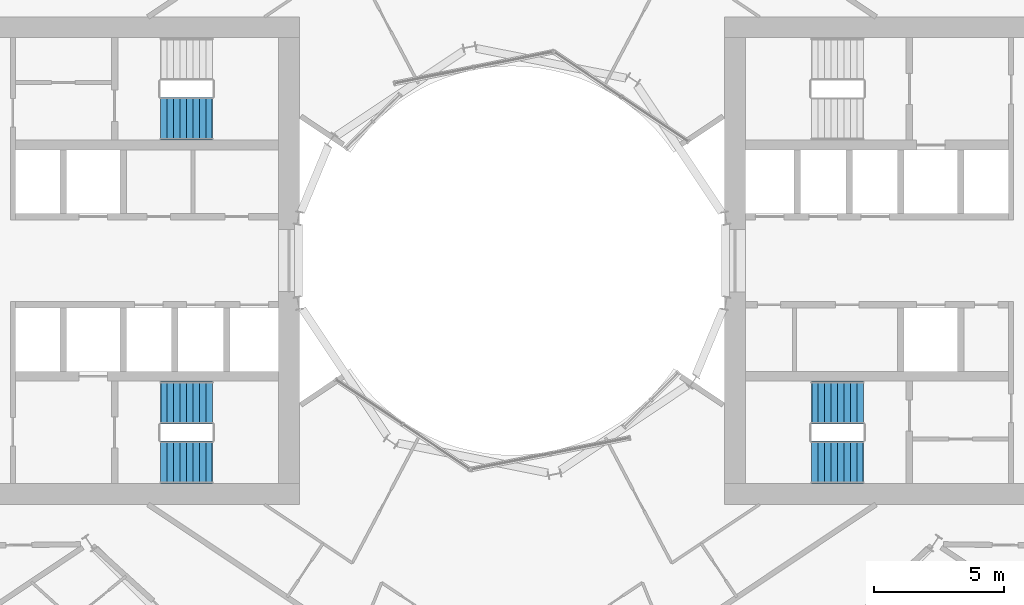
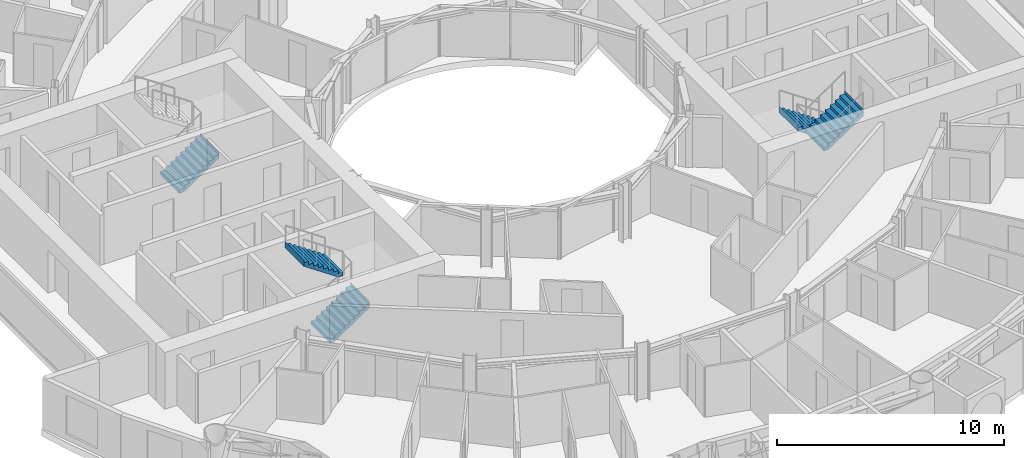
# One storey, part 23 of 26: 5 stair flights, 3 elements without a shape of their own.
"""IFC4 building model written with IfcOpenShell, lengths in metres."""

from ifc_helpers import new_model, si_unit, direction, frame, origin, place, context, subcontext, project, spatial, triangles, material, type_object, element, aggregate, save


model = new_model("IFC4")

# Units and contexts
model_context = context("Model", 3, precision=1e-05, world=origin(), true_north=direction((0.0, 1.0)))
body_context = subcontext(model_context, "Body", "Model", "MODEL_VIEW")
ifc_project = project(units=[si_unit("LENGTHUNIT", "METRE"), si_unit("AREAUNIT", "SQUARE_METRE"), si_unit("VOLUMEUNIT", "CUBIC_METRE"), si_unit("PLANEANGLEUNIT", "RADIAN"), si_unit("MASSUNIT", "GRAM", prefix="KILO")], contexts=[model_context])

# Site, building, storey
site_placement = place(None, origin())
site = spatial("IfcSite", under=ifc_project, at=site_placement, CompositionType="ELEMENT")
building_placement = place(site_placement, origin())
building = spatial("IfcBuilding", under=site, at=building_placement, Name="Maasbend Ring Residences", CompositionType="ELEMENT")
storey_placement = place(building_placement, frame((0.0, 0.0, 28.89990234375)))
storey = spatial("IfcBuildingStorey", under=building, at=storey_placement, Name="L07", CompositionType="ELEMENT", Elevation=28.89990234375)

# Stair, stair flights
ifc_material_1 = material(Name="Concrete C40/50", Category="concrete")
stair_type = type_object("IfcStairType", Name="CORE STAIR 18 RISERS", PredefinedType="HALF_TURN_STAIR", material=ifc_material_1)
stair_1_placement = place(storey_placement, origin())
stair_1 = element("IfcStair", 1, at=stair_1_placement, inside=storey, type_object=stair_type, Name="L07 Exit stair ST-E2", PredefinedType="HALF_TURN_STAIR")
ifc_material_2 = material(Name="Concrete C40/50", Category="concrete")
stair_flight_type = type_object("IfcStairFlightType", Name="CORE STAIR FLIGHT 1650", PredefinedType="STRAIGHT", material=ifc_material_2)
stair_flight_1_placement = place(storey_placement, frame((13.550048828125, -5.47509765625, 0.0), z_axis=(0.0, 0.0, 1.0), x_axis=(-1.0, 0.0, 0.0)))
stair_flight_1 = element("IfcStairFlight", 2, at=stair_flight_1_placement, type_object=stair_flight_type, Name="ST-E2 flight 1", NumberOfRisers=9, NumberOfTreads=8, PredefinedType="STRAIGHT", RiserHeight=0.169444444, TreadLength=0.25, context=body_context, shape_type="Tessellation", body=[
    triangles([(0.24072265625, 0.824951171875, -0.02001953125), (2.0029296875, 0.824951171875, 1.174560546875), (2.0029296875, 0.824951171875, 1.52490234375), (1.989990234375, 0.824951171875, 1.35546875), (1.75, 0.824951171875, 1.35546875), (1.75, 0.824951171875, 1.18603515625), (1.5, 0.824951171875, 1.18603515625), (1.5, 0.824951171875, 1.0166015625), (1.25, 0.824951171875, 1.0166015625), (1.25, 0.824951171875, 0.84716796875), (1.0, 0.824951171875, 0.84716796875), (1.0, 0.824951171875, 0.677734375), (0.75, 0.824951171875, 0.677734375), (0.75, 0.824951171875, 0.50830078125), (0.5, 0.824951171875, 0.50830078125), (0.5, 0.824951171875, 0.3388671875), (0.25, 0.824951171875, 0.3388671875), (0.25, 0.824951171875, 0.16943359375), (0.0, 0.824951171875, 0.16943359375), (0.0, 0.824951171875, 0.0), (-0.0029296875, 0.824951171875, 0.0), (-0.0029296875, 0.824951171875, -0.02001953125), (0.24072265625, 0.27490234375, -0.02001953125), (2.0029296875, 0.27490234375, 1.174560546875), (2.0029296875, 0.27490234375, 1.52490234375), (1.989990234375, 0.27490234375, 1.35546875), (1.75, 0.27490234375, 1.35546875), (1.75, 0.27490234375, 1.18603515625), (1.5, 0.27490234375, 1.18603515625), (1.5, 0.27490234375, 1.0166015625), (1.25, 0.27490234375, 1.0166015625), (1.25, 0.27490234375, 0.84716796875), (1.0, 0.27490234375, 0.84716796875), (1.0, 0.27490234375, 0.677734375), (0.75, 0.27490234375, 0.677734375), (0.75, 0.27490234375, 0.50830078125), (0.5, 0.27490234375, 0.50830078125), (0.5, 0.27490234375, 0.3388671875), (0.25, 0.27490234375, 0.3388671875), (0.25, 0.27490234375, 0.16943359375), (0.0, 0.27490234375, 0.16943359375), (0.0, 0.27490234375, 0.0), (-0.0029296875, 0.27490234375, 0.0), (-0.0029296875, 0.27490234375, -0.02001953125), (0.24072265625, -0.27490234375, -0.02001953125), (2.0029296875, -0.27490234375, 1.174560546875), (2.0029296875, -0.27490234375, 1.52490234375), (1.989990234375, -0.27490234375, 1.35546875), (1.75, -0.27490234375, 1.35546875), (1.75, -0.27490234375, 1.18603515625), (1.5, -0.27490234375, 1.18603515625), (1.5, -0.27490234375, 1.0166015625), (1.25, -0.27490234375, 1.0166015625), (1.25, -0.27490234375, 0.84716796875), (1.0, -0.27490234375, 0.84716796875), (1.0, -0.27490234375, 0.677734375), (0.75, -0.27490234375, 0.677734375), (0.75, -0.27490234375, 0.50830078125), (0.5, -0.27490234375, 0.50830078125), (0.5, -0.27490234375, 0.3388671875), (0.25, -0.27490234375, 0.3388671875), (0.25, -0.27490234375, 0.16943359375), (0.0, -0.27490234375, 0.16943359375), (0.0, -0.27490234375, 0.0), (-0.0029296875, -0.27490234375, 0.0), (-0.0029296875, -0.27490234375, -0.02001953125), (0.24072265625, -0.824951171875, -0.02001953125), (2.0029296875, -0.824951171875, 1.174560546875), (2.0029296875, -0.824951171875, 1.52490234375), (1.989990234375, -0.824951171875, 1.35546875), (1.75, -0.824951171875, 1.35546875), (1.75, -0.824951171875, 1.18603515625), (1.5, -0.824951171875, 1.18603515625), (1.5, -0.824951171875, 1.0166015625), (1.25, -0.824951171875, 1.0166015625), (1.25, -0.824951171875, 0.84716796875), (1.0, -0.824951171875, 0.84716796875), (1.0, -0.824951171875, 0.677734375), (0.75, -0.824951171875, 0.677734375), (0.75, -0.824951171875, 0.50830078125), (0.5, -0.824951171875, 0.50830078125), (0.5, -0.824951171875, 0.3388671875), (0.25, -0.824951171875, 0.3388671875), (0.25, -0.824951171875, 0.16943359375), (0.0, -0.824951171875, 0.16943359375), (0.0, -0.824951171875, 0.0), (-0.0029296875, -0.824951171875, 0.0), (-0.0029296875, -0.824951171875, -0.02001953125)], [[1, 2, 24], [1, 24, 23], [23, 24, 46], [23, 46, 45], [45, 46, 68], [45, 68, 67], [2, 3, 25], [2, 25, 24], [24, 25, 47], [24, 47, 46], [46, 47, 69], [46, 69, 68], [3, 4, 26], [3, 26, 25], [25, 26, 48], [25, 48, 47], [47, 48, 70], [47, 70, 69], [4, 5, 27], [4, 27, 26], [26, 27, 49], [26, 49, 48], [48, 49, 71], [48, 71, 70], [5, 6, 28], [5, 28, 27], [27, 28, 50], [27, 50, 49], [49, 50, 72], [49, 72, 71], [6, 7, 29], [6, 29, 28], [28, 29, 51], [28, 51, 50], [50, 51, 73], [50, 73, 72], [7, 8, 30], [7, 30, 29], [29, 30, 52], [29, 52, 51], [51, 52, 74], [51, 74, 73], [8, 9, 31], [8, 31, 30], [30, 31, 53], [30, 53, 52], [52, 53, 75], [52, 75, 74], [9, 10, 32], [9, 32, 31], [31, 32, 54], [31, 54, 53], [53, 54, 76], [53, 76, 75], [10, 11, 33], [10, 33, 32], [32, 33, 55], [32, 55, 54], [54, 55, 77], [54, 77, 76], [11, 12, 34], [11, 34, 33], [33, 34, 56], [33, 56, 55], [55, 56, 78], [55, 78, 77], [12, 13, 35], [12, 35, 34], [34, 35, 57], [34, 57, 56], [56, 57, 79], [56, 79, 78], [13, 14, 36], [13, 36, 35], [35, 36, 58], [35, 58, 57], [57, 58, 80], [57, 80, 79], [14, 15, 37], [14, 37, 36], [36, 37, 59], [36, 59, 58], [58, 59, 81], [58, 81, 80], [15, 16, 38], [15, 38, 37], [37, 38, 60], [37, 60, 59], [59, 60, 82], [59, 82, 81], [16, 17, 39], [16, 39, 38], [38, 39, 61], [38, 61, 60], [60, 61, 83], [60, 83, 82], [17, 18, 40], [17, 40, 39], [39, 40, 62], [39, 62, 61], [61, 62, 84], [61, 84, 83], [18, 19, 41], [18, 41, 40], [40, 41, 63], [40, 63, 62], [62, 63, 85], [62, 85, 84], [19, 20, 42], [19, 42, 41], [41, 42, 64], [41, 64, 63], [63, 64, 86], [63, 86, 85], [20, 21, 43], [20, 43, 42], [42, 43, 65], [42, 65, 64], [64, 65, 87], [64, 87, 86], [21, 22, 44], [21, 44, 43], [43, 44, 66], [43, 66, 65], [65, 66, 88], [65, 88, 87], [22, 1, 23], [22, 23, 44], [44, 23, 45], [44, 45, 66], [66, 45, 67], [66, 67, 88], [22, 2, 1], [2, 4, 3], [2, 5, 4], [2, 6, 5], [22, 6, 2], [6, 8, 7], [22, 8, 6], [8, 10, 9], [22, 10, 8], [10, 12, 11], [22, 12, 10], [12, 14, 13], [22, 14, 12], [14, 16, 15], [22, 16, 14], [16, 18, 17], [22, 18, 16], [18, 20, 19], [22, 20, 18], [20, 22, 21], [88, 67, 68], [68, 69, 70], [68, 70, 71], [68, 71, 72], [88, 68, 72], [72, 73, 74], [88, 72, 74], [74, 75, 76], [88, 74, 76], [76, 77, 78], [88, 76, 78], [78, 79, 80], [88, 78, 80], [80, 81, 82], [88, 80, 82], [82, 83, 84], [88, 82, 84], [84, 85, 86], [88, 84, 86], [86, 87, 88]], closed=True),
])
stair_flight_2_placement = place(storey_placement, frame((11.550048828125, -7.77490234375, 1.525146484375), z_axis=(0.0, 0.0, 1.0), x_axis=(1.0, 0.0, 0.0)))
stair_flight_2 = element("IfcStairFlight", 3, at=stair_flight_2_placement, type_object=stair_flight_type, Name="ST-E2 flight 2", NumberOfRisers=9, NumberOfTreads=8, PredefinedType="STRAIGHT", RiserHeight=0.169444444, TreadLength=0.25, context=body_context, shape_type="Tessellation", body=[
    triangles([(0.24072265625, 0.824951171875, -0.02001953125), (2.0029296875, 0.824951171875, 1.174560546875), (2.0029296875, 0.824951171875, 1.52490234375), (1.989990234375, 0.824951171875, 1.35546875), (1.75, 0.824951171875, 1.35546875), (1.75, 0.824951171875, 1.18603515625), (1.5, 0.824951171875, 1.18603515625), (1.5, 0.824951171875, 1.0166015625), (1.25, 0.824951171875, 1.0166015625), (1.25, 0.824951171875, 0.84716796875), (1.0, 0.824951171875, 0.84716796875), (1.0, 0.824951171875, 0.677734375), (0.75, 0.824951171875, 0.677734375), (0.75, 0.824951171875, 0.50830078125), (0.5, 0.824951171875, 0.50830078125), (0.5, 0.824951171875, 0.3388671875), (0.25, 0.824951171875, 0.3388671875), (0.25, 0.824951171875, 0.16943359375), (0.0, 0.824951171875, 0.16943359375), (0.0, 0.824951171875, 0.0), (-0.0029296875, 0.824951171875, 0.0), (-0.0029296875, 0.824951171875, -0.02001953125), (0.24072265625, 0.27490234375, -0.02001953125), (2.0029296875, 0.27490234375, 1.174560546875), (2.0029296875, 0.27490234375, 1.52490234375), (1.989990234375, 0.27490234375, 1.35546875), (1.75, 0.27490234375, 1.35546875), (1.75, 0.27490234375, 1.18603515625), (1.5, 0.27490234375, 1.18603515625), (1.5, 0.27490234375, 1.0166015625), (1.25, 0.27490234375, 1.0166015625), (1.25, 0.27490234375, 0.84716796875), (1.0, 0.27490234375, 0.84716796875), (1.0, 0.27490234375, 0.677734375), (0.75, 0.27490234375, 0.677734375), (0.75, 0.27490234375, 0.50830078125), (0.5, 0.27490234375, 0.50830078125), (0.5, 0.27490234375, 0.3388671875), (0.25, 0.27490234375, 0.3388671875), (0.25, 0.27490234375, 0.16943359375), (0.0, 0.27490234375, 0.16943359375), (0.0, 0.27490234375, 0.0), (-0.0029296875, 0.27490234375, 0.0), (-0.0029296875, 0.27490234375, -0.02001953125), (0.24072265625, -0.27490234375, -0.02001953125), (2.0029296875, -0.27490234375, 1.174560546875), (2.0029296875, -0.27490234375, 1.52490234375), (1.989990234375, -0.27490234375, 1.35546875), (1.75, -0.27490234375, 1.35546875), (1.75, -0.27490234375, 1.18603515625), (1.5, -0.27490234375, 1.18603515625), (1.5, -0.27490234375, 1.0166015625), (1.25, -0.27490234375, 1.0166015625), (1.25, -0.27490234375, 0.84716796875), (1.0, -0.27490234375, 0.84716796875), (1.0, -0.27490234375, 0.677734375), (0.75, -0.27490234375, 0.677734375), (0.75, -0.27490234375, 0.50830078125), (0.5, -0.27490234375, 0.50830078125), (0.5, -0.27490234375, 0.3388671875), (0.25, -0.27490234375, 0.3388671875), (0.25, -0.27490234375, 0.16943359375), (0.0, -0.27490234375, 0.16943359375), (0.0, -0.27490234375, 0.0), (-0.0029296875, -0.27490234375, 0.0), (-0.0029296875, -0.27490234375, -0.02001953125), (0.24072265625, -0.824951171875, -0.02001953125), (2.0029296875, -0.824951171875, 1.174560546875), (2.0029296875, -0.824951171875, 1.52490234375), (1.989990234375, -0.824951171875, 1.35546875), (1.75, -0.824951171875, 1.35546875), (1.75, -0.824951171875, 1.18603515625), (1.5, -0.824951171875, 1.18603515625), (1.5, -0.824951171875, 1.0166015625), (1.25, -0.824951171875, 1.0166015625), (1.25, -0.824951171875, 0.84716796875), (1.0, -0.824951171875, 0.84716796875), (1.0, -0.824951171875, 0.677734375), (0.75, -0.824951171875, 0.677734375), (0.75, -0.824951171875, 0.50830078125), (0.5, -0.824951171875, 0.50830078125), (0.5, -0.824951171875, 0.3388671875), (0.25, -0.824951171875, 0.3388671875), (0.25, -0.824951171875, 0.16943359375), (0.0, -0.824951171875, 0.16943359375), (0.0, -0.824951171875, 0.0), (-0.0029296875, -0.824951171875, 0.0), (-0.0029296875, -0.824951171875, -0.02001953125)], [[1, 2, 24], [1, 24, 23], [23, 24, 46], [23, 46, 45], [45, 46, 68], [45, 68, 67], [2, 3, 25], [2, 25, 24], [24, 25, 47], [24, 47, 46], [46, 47, 69], [46, 69, 68], [3, 4, 26], [3, 26, 25], [25, 26, 48], [25, 48, 47], [47, 48, 70], [47, 70, 69], [4, 5, 27], [4, 27, 26], [26, 27, 49], [26, 49, 48], [48, 49, 71], [48, 71, 70], [5, 6, 28], [5, 28, 27], [27, 28, 50], [27, 50, 49], [49, 50, 72], [49, 72, 71], [6, 7, 29], [6, 29, 28], [28, 29, 51], [28, 51, 50], [50, 51, 73], [50, 73, 72], [7, 8, 30], [7, 30, 29], [29, 30, 52], [29, 52, 51], [51, 52, 74], [51, 74, 73], [8, 9, 31], [8, 31, 30], [30, 31, 53], [30, 53, 52], [52, 53, 75], [52, 75, 74], [9, 10, 32], [9, 32, 31], [31, 32, 54], [31, 54, 53], [53, 54, 76], [53, 76, 75], [10, 11, 33], [10, 33, 32], [32, 33, 55], [32, 55, 54], [54, 55, 77], [54, 77, 76], [11, 12, 34], [11, 34, 33], [33, 34, 56], [33, 56, 55], [55, 56, 78], [55, 78, 77], [12, 13, 35], [12, 35, 34], [34, 35, 57], [34, 57, 56], [56, 57, 79], [56, 79, 78], [13, 14, 36], [13, 36, 35], [35, 36, 58], [35, 58, 57], [57, 58, 80], [57, 80, 79], [14, 15, 37], [14, 37, 36], [36, 37, 59], [36, 59, 58], [58, 59, 81], [58, 81, 80], [15, 16, 38], [15, 38, 37], [37, 38, 60], [37, 60, 59], [59, 60, 82], [59, 82, 81], [16, 17, 39], [16, 39, 38], [38, 39, 61], [38, 61, 60], [60, 61, 83], [60, 83, 82], [17, 18, 40], [17, 40, 39], [39, 40, 62], [39, 62, 61], [61, 62, 84], [61, 84, 83], [18, 19, 41], [18, 41, 40], [40, 41, 63], [40, 63, 62], [62, 63, 85], [62, 85, 84], [19, 20, 42], [19, 42, 41], [41, 42, 64], [41, 64, 63], [63, 64, 86], [63, 86, 85], [20, 21, 43], [20, 43, 42], [42, 43, 65], [42, 65, 64], [64, 65, 87], [64, 87, 86], [21, 22, 44], [21, 44, 43], [43, 44, 66], [43, 66, 65], [65, 66, 88], [65, 88, 87], [22, 1, 23], [22, 23, 44], [44, 23, 45], [44, 45, 66], [66, 45, 67], [66, 67, 88], [22, 2, 1], [2, 4, 3], [2, 5, 4], [2, 6, 5], [22, 6, 2], [6, 8, 7], [22, 8, 6], [8, 10, 9], [22, 10, 8], [10, 12, 11], [22, 12, 10], [12, 14, 13], [22, 14, 12], [14, 16, 15], [22, 16, 14], [16, 18, 17], [22, 18, 16], [18, 20, 19], [22, 20, 18], [20, 22, 21], [88, 67, 68], [68, 69, 70], [68, 70, 71], [68, 71, 72], [88, 68, 72], [72, 73, 74], [88, 72, 74], [74, 75, 76], [88, 74, 76], [76, 77, 78], [88, 76, 78], [78, 79, 80], [88, 78, 80], [80, 81, 82], [88, 80, 82], [82, 83, 84], [88, 82, 84], [84, 85, 86], [88, 84, 86], [86, 87, 88]], closed=True),
])
aggregate(stair_1, [stair_flight_1, stair_flight_2])

stair_2_placement = place(storey_placement, origin())
stair_2 = element("IfcStair", 4, at=stair_2_placement, inside=storey, type_object=stair_type, Name="L07 Exit stair ST-W1", PredefinedType="HALF_TURN_STAIR")
stair_flight_3_placement = place(storey_placement, frame((-13.550048828125, -7.77490234375, 0.0), z_axis=(0.0, 0.0, 1.0), x_axis=(1.0, 0.0, 0.0)))
stair_flight_3 = element("IfcStairFlight", 5, at=stair_flight_3_placement, type_object=stair_flight_type, Name="ST-W1 flight 1", NumberOfRisers=9, NumberOfTreads=8, PredefinedType="STRAIGHT", RiserHeight=0.169444444, TreadLength=0.25, context=body_context, shape_type="Tessellation", body=[
    triangles([(0.24072265625, 0.824951171875, -0.02001953125), (2.0029296875, 0.824951171875, 1.174560546875), (2.0029296875, 0.824951171875, 1.52490234375), (1.989990234375, 0.824951171875, 1.35546875), (1.75, 0.824951171875, 1.35546875), (1.75, 0.824951171875, 1.18603515625), (1.5, 0.824951171875, 1.18603515625), (1.5, 0.824951171875, 1.0166015625), (1.25, 0.824951171875, 1.0166015625), (1.25, 0.824951171875, 0.84716796875), (1.0, 0.824951171875, 0.84716796875), (1.0, 0.824951171875, 0.677734375), (0.75, 0.824951171875, 0.677734375), (0.75, 0.824951171875, 0.50830078125), (0.5, 0.824951171875, 0.50830078125), (0.5, 0.824951171875, 0.3388671875), (0.25, 0.824951171875, 0.3388671875), (0.25, 0.824951171875, 0.16943359375), (0.0, 0.824951171875, 0.16943359375), (0.0, 0.824951171875, 0.0), (-0.0029296875, 0.824951171875, 0.0), (-0.0029296875, 0.824951171875, -0.02001953125), (0.24072265625, 0.27490234375, -0.02001953125), (2.0029296875, 0.27490234375, 1.174560546875), (2.0029296875, 0.27490234375, 1.52490234375), (1.989990234375, 0.27490234375, 1.35546875), (1.75, 0.27490234375, 1.35546875), (1.75, 0.27490234375, 1.18603515625), (1.5, 0.27490234375, 1.18603515625), (1.5, 0.27490234375, 1.0166015625), (1.25, 0.27490234375, 1.0166015625), (1.25, 0.27490234375, 0.84716796875), (1.0, 0.27490234375, 0.84716796875), (1.0, 0.27490234375, 0.677734375), (0.75, 0.27490234375, 0.677734375), (0.75, 0.27490234375, 0.50830078125), (0.5, 0.27490234375, 0.50830078125), (0.5, 0.27490234375, 0.3388671875), (0.25, 0.27490234375, 0.3388671875), (0.25, 0.27490234375, 0.16943359375), (0.0, 0.27490234375, 0.16943359375), (0.0, 0.27490234375, 0.0), (-0.0029296875, 0.27490234375, 0.0), (-0.0029296875, 0.27490234375, -0.02001953125), (0.24072265625, -0.27490234375, -0.02001953125), (2.0029296875, -0.27490234375, 1.174560546875), (2.0029296875, -0.27490234375, 1.52490234375), (1.989990234375, -0.27490234375, 1.35546875), (1.75, -0.27490234375, 1.35546875), (1.75, -0.27490234375, 1.18603515625), (1.5, -0.27490234375, 1.18603515625), (1.5, -0.27490234375, 1.0166015625), (1.25, -0.27490234375, 1.0166015625), (1.25, -0.27490234375, 0.84716796875), (1.0, -0.27490234375, 0.84716796875), (1.0, -0.27490234375, 0.677734375), (0.75, -0.27490234375, 0.677734375), (0.75, -0.27490234375, 0.50830078125), (0.5, -0.27490234375, 0.50830078125), (0.5, -0.27490234375, 0.3388671875), (0.25, -0.27490234375, 0.3388671875), (0.25, -0.27490234375, 0.16943359375), (0.0, -0.27490234375, 0.16943359375), (0.0, -0.27490234375, 0.0), (-0.0029296875, -0.27490234375, 0.0), (-0.0029296875, -0.27490234375, -0.02001953125), (0.24072265625, -0.824951171875, -0.02001953125), (2.0029296875, -0.824951171875, 1.174560546875), (2.0029296875, -0.824951171875, 1.52490234375), (1.989990234375, -0.824951171875, 1.35546875), (1.75, -0.824951171875, 1.35546875), (1.75, -0.824951171875, 1.18603515625), (1.5, -0.824951171875, 1.18603515625), (1.5, -0.824951171875, 1.0166015625), (1.25, -0.824951171875, 1.0166015625), (1.25, -0.824951171875, 0.84716796875), (1.0, -0.824951171875, 0.84716796875), (1.0, -0.824951171875, 0.677734375), (0.75, -0.824951171875, 0.677734375), (0.75, -0.824951171875, 0.50830078125), (0.5, -0.824951171875, 0.50830078125), (0.5, -0.824951171875, 0.3388671875), (0.25, -0.824951171875, 0.3388671875), (0.25, -0.824951171875, 0.16943359375), (0.0, -0.824951171875, 0.16943359375), (0.0, -0.824951171875, 0.0), (-0.0029296875, -0.824951171875, 0.0), (-0.0029296875, -0.824951171875, -0.02001953125)], [[1, 2, 24], [1, 24, 23], [23, 24, 46], [23, 46, 45], [45, 46, 68], [45, 68, 67], [2, 3, 25], [2, 25, 24], [24, 25, 47], [24, 47, 46], [46, 47, 69], [46, 69, 68], [3, 4, 26], [3, 26, 25], [25, 26, 48], [25, 48, 47], [47, 48, 70], [47, 70, 69], [4, 5, 27], [4, 27, 26], [26, 27, 49], [26, 49, 48], [48, 49, 71], [48, 71, 70], [5, 6, 28], [5, 28, 27], [27, 28, 50], [27, 50, 49], [49, 50, 72], [49, 72, 71], [6, 7, 29], [6, 29, 28], [28, 29, 51], [28, 51, 50], [50, 51, 73], [50, 73, 72], [7, 8, 30], [7, 30, 29], [29, 30, 52], [29, 52, 51], [51, 52, 74], [51, 74, 73], [8, 9, 31], [8, 31, 30], [30, 31, 53], [30, 53, 52], [52, 53, 75], [52, 75, 74], [9, 10, 32], [9, 32, 31], [31, 32, 54], [31, 54, 53], [53, 54, 76], [53, 76, 75], [10, 11, 33], [10, 33, 32], [32, 33, 55], [32, 55, 54], [54, 55, 77], [54, 77, 76], [11, 12, 34], [11, 34, 33], [33, 34, 56], [33, 56, 55], [55, 56, 78], [55, 78, 77], [12, 13, 35], [12, 35, 34], [34, 35, 57], [34, 57, 56], [56, 57, 79], [56, 79, 78], [13, 14, 36], [13, 36, 35], [35, 36, 58], [35, 58, 57], [57, 58, 80], [57, 80, 79], [14, 15, 37], [14, 37, 36], [36, 37, 59], [36, 59, 58], [58, 59, 81], [58, 81, 80], [15, 16, 38], [15, 38, 37], [37, 38, 60], [37, 60, 59], [59, 60, 82], [59, 82, 81], [16, 17, 39], [16, 39, 38], [38, 39, 61], [38, 61, 60], [60, 61, 83], [60, 83, 82], [17, 18, 40], [17, 40, 39], [39, 40, 62], [39, 62, 61], [61, 62, 84], [61, 84, 83], [18, 19, 41], [18, 41, 40], [40, 41, 63], [40, 63, 62], [62, 63, 85], [62, 85, 84], [19, 20, 42], [19, 42, 41], [41, 42, 64], [41, 64, 63], [63, 64, 86], [63, 86, 85], [20, 21, 43], [20, 43, 42], [42, 43, 65], [42, 65, 64], [64, 65, 87], [64, 87, 86], [21, 22, 44], [21, 44, 43], [43, 44, 66], [43, 66, 65], [65, 66, 88], [65, 88, 87], [22, 1, 23], [22, 23, 44], [44, 23, 45], [44, 45, 66], [66, 45, 67], [66, 67, 88], [22, 2, 1], [2, 4, 3], [2, 5, 4], [2, 6, 5], [22, 6, 2], [6, 8, 7], [22, 8, 6], [8, 10, 9], [22, 10, 8], [10, 12, 11], [22, 12, 10], [12, 14, 13], [22, 14, 12], [14, 16, 15], [22, 16, 14], [16, 18, 17], [22, 18, 16], [18, 20, 19], [22, 20, 18], [20, 22, 21], [88, 67, 68], [68, 69, 70], [68, 70, 71], [68, 71, 72], [88, 68, 72], [72, 73, 74], [88, 72, 74], [74, 75, 76], [88, 74, 76], [76, 77, 78], [88, 76, 78], [78, 79, 80], [88, 78, 80], [80, 81, 82], [88, 80, 82], [82, 83, 84], [88, 82, 84], [84, 85, 86], [88, 84, 86], [86, 87, 88]], closed=True),
])
stair_flight_4_placement = place(storey_placement, frame((-11.550048828125, -5.47509765625, 1.525146484375), z_axis=(0.0, 0.0, 1.0), x_axis=(-1.0, 0.0, 0.0)))
stair_flight_4 = element("IfcStairFlight", 6, at=stair_flight_4_placement, type_object=stair_flight_type, Name="ST-W1 flight 2", NumberOfRisers=9, NumberOfTreads=8, PredefinedType="STRAIGHT", RiserHeight=0.169444444, TreadLength=0.25, context=body_context, shape_type="Tessellation", body=[
    triangles([(0.24072265625, 0.824951171875, -0.02001953125), (2.0029296875, 0.824951171875, 1.174560546875), (2.0029296875, 0.824951171875, 1.52490234375), (1.989990234375, 0.824951171875, 1.35546875), (1.75, 0.824951171875, 1.35546875), (1.75, 0.824951171875, 1.18603515625), (1.5, 0.824951171875, 1.18603515625), (1.5, 0.824951171875, 1.0166015625), (1.25, 0.824951171875, 1.0166015625), (1.25, 0.824951171875, 0.84716796875), (1.0, 0.824951171875, 0.84716796875), (1.0, 0.824951171875, 0.677734375), (0.75, 0.824951171875, 0.677734375), (0.75, 0.824951171875, 0.50830078125), (0.5, 0.824951171875, 0.50830078125), (0.5, 0.824951171875, 0.3388671875), (0.25, 0.824951171875, 0.3388671875), (0.25, 0.824951171875, 0.16943359375), (0.0, 0.824951171875, 0.16943359375), (0.0, 0.824951171875, 0.0), (-0.0029296875, 0.824951171875, 0.0), (-0.0029296875, 0.824951171875, -0.02001953125), (0.24072265625, 0.27490234375, -0.02001953125), (2.0029296875, 0.27490234375, 1.174560546875), (2.0029296875, 0.27490234375, 1.52490234375), (1.989990234375, 0.27490234375, 1.35546875), (1.75, 0.27490234375, 1.35546875), (1.75, 0.27490234375, 1.18603515625), (1.5, 0.27490234375, 1.18603515625), (1.5, 0.27490234375, 1.0166015625), (1.25, 0.27490234375, 1.0166015625), (1.25, 0.27490234375, 0.84716796875), (1.0, 0.27490234375, 0.84716796875), (1.0, 0.27490234375, 0.677734375), (0.75, 0.27490234375, 0.677734375), (0.75, 0.27490234375, 0.50830078125), (0.5, 0.27490234375, 0.50830078125), (0.5, 0.27490234375, 0.3388671875), (0.25, 0.27490234375, 0.3388671875), (0.25, 0.27490234375, 0.16943359375), (0.0, 0.27490234375, 0.16943359375), (0.0, 0.27490234375, 0.0), (-0.0029296875, 0.27490234375, 0.0), (-0.0029296875, 0.27490234375, -0.02001953125), (0.24072265625, -0.27490234375, -0.02001953125), (2.0029296875, -0.27490234375, 1.174560546875), (2.0029296875, -0.27490234375, 1.52490234375), (1.989990234375, -0.27490234375, 1.35546875), (1.75, -0.27490234375, 1.35546875), (1.75, -0.27490234375, 1.18603515625), (1.5, -0.27490234375, 1.18603515625), (1.5, -0.27490234375, 1.0166015625), (1.25, -0.27490234375, 1.0166015625), (1.25, -0.27490234375, 0.84716796875), (1.0, -0.27490234375, 0.84716796875), (1.0, -0.27490234375, 0.677734375), (0.75, -0.27490234375, 0.677734375), (0.75, -0.27490234375, 0.50830078125), (0.5, -0.27490234375, 0.50830078125), (0.5, -0.27490234375, 0.3388671875), (0.25, -0.27490234375, 0.3388671875), (0.25, -0.27490234375, 0.16943359375), (0.0, -0.27490234375, 0.16943359375), (0.0, -0.27490234375, 0.0), (-0.0029296875, -0.27490234375, 0.0), (-0.0029296875, -0.27490234375, -0.02001953125), (0.24072265625, -0.824951171875, -0.02001953125), (2.0029296875, -0.824951171875, 1.174560546875), (2.0029296875, -0.824951171875, 1.52490234375), (1.989990234375, -0.824951171875, 1.35546875), (1.75, -0.824951171875, 1.35546875), (1.75, -0.824951171875, 1.18603515625), (1.5, -0.824951171875, 1.18603515625), (1.5, -0.824951171875, 1.0166015625), (1.25, -0.824951171875, 1.0166015625), (1.25, -0.824951171875, 0.84716796875), (1.0, -0.824951171875, 0.84716796875), (1.0, -0.824951171875, 0.677734375), (0.75, -0.824951171875, 0.677734375), (0.75, -0.824951171875, 0.50830078125), (0.5, -0.824951171875, 0.50830078125), (0.5, -0.824951171875, 0.3388671875), (0.25, -0.824951171875, 0.3388671875), (0.25, -0.824951171875, 0.16943359375), (0.0, -0.824951171875, 0.16943359375), (0.0, -0.824951171875, 0.0), (-0.0029296875, -0.824951171875, 0.0), (-0.0029296875, -0.824951171875, -0.02001953125)], [[1, 2, 24], [1, 24, 23], [23, 24, 46], [23, 46, 45], [45, 46, 68], [45, 68, 67], [2, 3, 25], [2, 25, 24], [24, 25, 47], [24, 47, 46], [46, 47, 69], [46, 69, 68], [3, 4, 26], [3, 26, 25], [25, 26, 48], [25, 48, 47], [47, 48, 70], [47, 70, 69], [4, 5, 27], [4, 27, 26], [26, 27, 49], [26, 49, 48], [48, 49, 71], [48, 71, 70], [5, 6, 28], [5, 28, 27], [27, 28, 50], [27, 50, 49], [49, 50, 72], [49, 72, 71], [6, 7, 29], [6, 29, 28], [28, 29, 51], [28, 51, 50], [50, 51, 73], [50, 73, 72], [7, 8, 30], [7, 30, 29], [29, 30, 52], [29, 52, 51], [51, 52, 74], [51, 74, 73], [8, 9, 31], [8, 31, 30], [30, 31, 53], [30, 53, 52], [52, 53, 75], [52, 75, 74], [9, 10, 32], [9, 32, 31], [31, 32, 54], [31, 54, 53], [53, 54, 76], [53, 76, 75], [10, 11, 33], [10, 33, 32], [32, 33, 55], [32, 55, 54], [54, 55, 77], [54, 77, 76], [11, 12, 34], [11, 34, 33], [33, 34, 56], [33, 56, 55], [55, 56, 78], [55, 78, 77], [12, 13, 35], [12, 35, 34], [34, 35, 57], [34, 57, 56], [56, 57, 79], [56, 79, 78], [13, 14, 36], [13, 36, 35], [35, 36, 58], [35, 58, 57], [57, 58, 80], [57, 80, 79], [14, 15, 37], [14, 37, 36], [36, 37, 59], [36, 59, 58], [58, 59, 81], [58, 81, 80], [15, 16, 38], [15, 38, 37], [37, 38, 60], [37, 60, 59], [59, 60, 82], [59, 82, 81], [16, 17, 39], [16, 39, 38], [38, 39, 61], [38, 61, 60], [60, 61, 83], [60, 83, 82], [17, 18, 40], [17, 40, 39], [39, 40, 62], [39, 62, 61], [61, 62, 84], [61, 84, 83], [18, 19, 41], [18, 41, 40], [40, 41, 63], [40, 63, 62], [62, 63, 85], [62, 85, 84], [19, 20, 42], [19, 42, 41], [41, 42, 64], [41, 64, 63], [63, 64, 86], [63, 86, 85], [20, 21, 43], [20, 43, 42], [42, 43, 65], [42, 65, 64], [64, 65, 87], [64, 87, 86], [21, 22, 44], [21, 44, 43], [43, 44, 66], [43, 66, 65], [65, 66, 88], [65, 88, 87], [22, 1, 23], [22, 23, 44], [44, 23, 45], [44, 45, 66], [66, 45, 67], [66, 67, 88], [22, 2, 1], [2, 4, 3], [2, 5, 4], [2, 6, 5], [22, 6, 2], [6, 8, 7], [22, 8, 6], [8, 10, 9], [22, 10, 8], [10, 12, 11], [22, 12, 10], [12, 14, 13], [22, 14, 12], [14, 16, 15], [22, 16, 14], [16, 18, 17], [22, 18, 16], [18, 20, 19], [22, 20, 18], [20, 22, 21], [88, 67, 68], [68, 69, 70], [68, 70, 71], [68, 71, 72], [88, 68, 72], [72, 73, 74], [88, 72, 74], [74, 75, 76], [88, 74, 76], [76, 77, 78], [88, 76, 78], [78, 79, 80], [88, 78, 80], [80, 81, 82], [88, 80, 82], [82, 83, 84], [88, 82, 84], [84, 85, 86], [88, 84, 86], [86, 87, 88]], closed=True),
])
aggregate(stair_2, [stair_flight_3, stair_flight_4])

# Stair, stair flight
stair_3_placement = place(storey_placement, origin())
stair_3 = element("IfcStair", 7, at=stair_3_placement, inside=storey, type_object=stair_type, Name="L07 Exit stair ST-W2", PredefinedType="HALF_TURN_STAIR")
stair_flight_5_placement = place(storey_placement, frame((-13.550048828125, 5.47509765625, 0.0), z_axis=(0.0, 0.0, 1.0), x_axis=(1.0, 0.0, 0.0)))
stair_flight_5 = element("IfcStairFlight", 8, at=stair_flight_5_placement, type_object=stair_flight_type, Name="ST-W2 flight 1", NumberOfRisers=9, NumberOfTreads=8, PredefinedType="STRAIGHT", RiserHeight=0.169444444, TreadLength=0.25, context=body_context, shape_type="Tessellation", body=[
    triangles([(0.24072265625, 0.824951171875, -0.02001953125), (2.0029296875, 0.824951171875, 1.174560546875), (2.0029296875, 0.824951171875, 1.52490234375), (1.989990234375, 0.824951171875, 1.35546875), (1.75, 0.824951171875, 1.35546875), (1.75, 0.824951171875, 1.18603515625), (1.5, 0.824951171875, 1.18603515625), (1.5, 0.824951171875, 1.0166015625), (1.25, 0.824951171875, 1.0166015625), (1.25, 0.824951171875, 0.84716796875), (1.0, 0.824951171875, 0.84716796875), (1.0, 0.824951171875, 0.677734375), (0.75, 0.824951171875, 0.677734375), (0.75, 0.824951171875, 0.50830078125), (0.5, 0.824951171875, 0.50830078125), (0.5, 0.824951171875, 0.3388671875), (0.25, 0.824951171875, 0.3388671875), (0.25, 0.824951171875, 0.16943359375), (0.0, 0.824951171875, 0.16943359375), (0.0, 0.824951171875, 0.0), (-0.0029296875, 0.824951171875, 0.0), (-0.0029296875, 0.824951171875, -0.02001953125), (0.24072265625, 0.27490234375, -0.02001953125), (2.0029296875, 0.27490234375, 1.174560546875), (2.0029296875, 0.27490234375, 1.52490234375), (1.989990234375, 0.27490234375, 1.35546875), (1.75, 0.27490234375, 1.35546875), (1.75, 0.27490234375, 1.18603515625), (1.5, 0.27490234375, 1.18603515625), (1.5, 0.27490234375, 1.0166015625), (1.25, 0.27490234375, 1.0166015625), (1.25, 0.27490234375, 0.84716796875), (1.0, 0.27490234375, 0.84716796875), (1.0, 0.27490234375, 0.677734375), (0.75, 0.27490234375, 0.677734375), (0.75, 0.27490234375, 0.50830078125), (0.5, 0.27490234375, 0.50830078125), (0.5, 0.27490234375, 0.3388671875), (0.25, 0.27490234375, 0.3388671875), (0.25, 0.27490234375, 0.16943359375), (0.0, 0.27490234375, 0.16943359375), (0.0, 0.27490234375, 0.0), (-0.0029296875, 0.27490234375, 0.0), (-0.0029296875, 0.27490234375, -0.02001953125), (0.24072265625, -0.27490234375, -0.02001953125), (2.0029296875, -0.27490234375, 1.174560546875), (2.0029296875, -0.27490234375, 1.52490234375), (1.989990234375, -0.27490234375, 1.35546875), (1.75, -0.27490234375, 1.35546875), (1.75, -0.27490234375, 1.18603515625), (1.5, -0.27490234375, 1.18603515625), (1.5, -0.27490234375, 1.0166015625), (1.25, -0.27490234375, 1.0166015625), (1.25, -0.27490234375, 0.84716796875), (1.0, -0.27490234375, 0.84716796875), (1.0, -0.27490234375, 0.677734375), (0.75, -0.27490234375, 0.677734375), (0.75, -0.27490234375, 0.50830078125), (0.5, -0.27490234375, 0.50830078125), (0.5, -0.27490234375, 0.3388671875), (0.25, -0.27490234375, 0.3388671875), (0.25, -0.27490234375, 0.16943359375), (0.0, -0.27490234375, 0.16943359375), (0.0, -0.27490234375, 0.0), (-0.0029296875, -0.27490234375, 0.0), (-0.0029296875, -0.27490234375, -0.02001953125), (0.24072265625, -0.824951171875, -0.02001953125), (2.0029296875, -0.824951171875, 1.174560546875), (2.0029296875, -0.824951171875, 1.52490234375), (1.989990234375, -0.824951171875, 1.35546875), (1.75, -0.824951171875, 1.35546875), (1.75, -0.824951171875, 1.18603515625), (1.5, -0.824951171875, 1.18603515625), (1.5, -0.824951171875, 1.0166015625), (1.25, -0.824951171875, 1.0166015625), (1.25, -0.824951171875, 0.84716796875), (1.0, -0.824951171875, 0.84716796875), (1.0, -0.824951171875, 0.677734375), (0.75, -0.824951171875, 0.677734375), (0.75, -0.824951171875, 0.50830078125), (0.5, -0.824951171875, 0.50830078125), (0.5, -0.824951171875, 0.3388671875), (0.25, -0.824951171875, 0.3388671875), (0.25, -0.824951171875, 0.16943359375), (0.0, -0.824951171875, 0.16943359375), (0.0, -0.824951171875, 0.0), (-0.0029296875, -0.824951171875, 0.0), (-0.0029296875, -0.824951171875, -0.02001953125)], [[1, 2, 24], [1, 24, 23], [23, 24, 46], [23, 46, 45], [45, 46, 68], [45, 68, 67], [2, 3, 25], [2, 25, 24], [24, 25, 47], [24, 47, 46], [46, 47, 69], [46, 69, 68], [3, 4, 26], [3, 26, 25], [25, 26, 48], [25, 48, 47], [47, 48, 70], [47, 70, 69], [4, 5, 27], [4, 27, 26], [26, 27, 49], [26, 49, 48], [48, 49, 71], [48, 71, 70], [5, 6, 28], [5, 28, 27], [27, 28, 50], [27, 50, 49], [49, 50, 72], [49, 72, 71], [6, 7, 29], [6, 29, 28], [28, 29, 51], [28, 51, 50], [50, 51, 73], [50, 73, 72], [7, 8, 30], [7, 30, 29], [29, 30, 52], [29, 52, 51], [51, 52, 74], [51, 74, 73], [8, 9, 31], [8, 31, 30], [30, 31, 53], [30, 53, 52], [52, 53, 75], [52, 75, 74], [9, 10, 32], [9, 32, 31], [31, 32, 54], [31, 54, 53], [53, 54, 76], [53, 76, 75], [10, 11, 33], [10, 33, 32], [32, 33, 55], [32, 55, 54], [54, 55, 77], [54, 77, 76], [11, 12, 34], [11, 34, 33], [33, 34, 56], [33, 56, 55], [55, 56, 78], [55, 78, 77], [12, 13, 35], [12, 35, 34], [34, 35, 57], [34, 57, 56], [56, 57, 79], [56, 79, 78], [13, 14, 36], [13, 36, 35], [35, 36, 58], [35, 58, 57], [57, 58, 80], [57, 80, 79], [14, 15, 37], [14, 37, 36], [36, 37, 59], [36, 59, 58], [58, 59, 81], [58, 81, 80], [15, 16, 38], [15, 38, 37], [37, 38, 60], [37, 60, 59], [59, 60, 82], [59, 82, 81], [16, 17, 39], [16, 39, 38], [38, 39, 61], [38, 61, 60], [60, 61, 83], [60, 83, 82], [17, 18, 40], [17, 40, 39], [39, 40, 62], [39, 62, 61], [61, 62, 84], [61, 84, 83], [18, 19, 41], [18, 41, 40], [40, 41, 63], [40, 63, 62], [62, 63, 85], [62, 85, 84], [19, 20, 42], [19, 42, 41], [41, 42, 64], [41, 64, 63], [63, 64, 86], [63, 86, 85], [20, 21, 43], [20, 43, 42], [42, 43, 65], [42, 65, 64], [64, 65, 87], [64, 87, 86], [21, 22, 44], [21, 44, 43], [43, 44, 66], [43, 66, 65], [65, 66, 88], [65, 88, 87], [22, 1, 23], [22, 23, 44], [44, 23, 45], [44, 45, 66], [66, 45, 67], [66, 67, 88], [22, 2, 1], [2, 4, 3], [2, 5, 4], [2, 6, 5], [22, 6, 2], [6, 8, 7], [22, 8, 6], [8, 10, 9], [22, 10, 8], [10, 12, 11], [22, 12, 10], [12, 14, 13], [22, 14, 12], [14, 16, 15], [22, 16, 14], [16, 18, 17], [22, 18, 16], [18, 20, 19], [22, 20, 18], [20, 22, 21], [88, 67, 68], [68, 69, 70], [68, 70, 71], [68, 71, 72], [88, 68, 72], [72, 73, 74], [88, 72, 74], [74, 75, 76], [88, 74, 76], [76, 77, 78], [88, 76, 78], [78, 79, 80], [88, 78, 80], [80, 81, 82], [88, 80, 82], [82, 83, 84], [88, 82, 84], [84, 85, 86], [88, 84, 86], [86, 87, 88]], closed=True),
])
aggregate(stair_3, [stair_flight_5])

save(model, "model.ifc")
